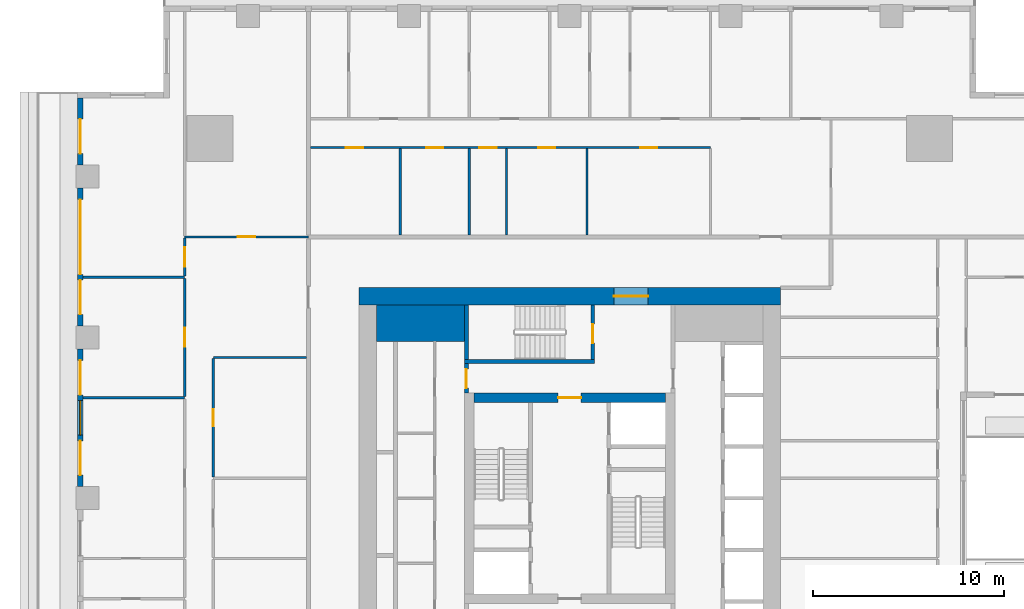
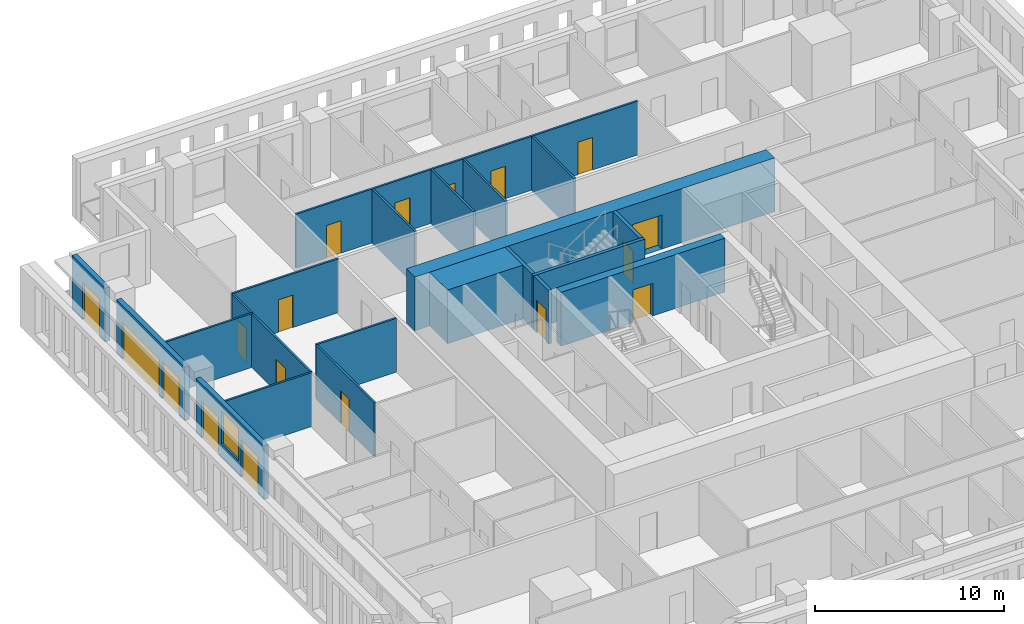
# One storey, part 6 of 15: 22 walls, 18 doors, 1 window, 19 openings.
"""IFC4 building model written with IfcOpenShell, lengths in metres."""

from ifc_helpers import new_model, si_unit, direction, frame, frame_2d, origin, place, context, subcontext, project, spatial, rectangle, extrude, material, layer, layer_set, type_object, element, fill, save


model = new_model("IFC4")

# Units and contexts
model_context = context("Model", 3, precision=1e-05, world=origin(), true_north=direction((0.0, 1.0)))
body_context = subcontext(model_context, "Body", "Model", "MODEL_VIEW")
ifc_project = project(units=[si_unit("LENGTHUNIT", "METRE"), si_unit("AREAUNIT", "SQUARE_METRE"), si_unit("VOLUMEUNIT", "CUBIC_METRE"), si_unit("PLANEANGLEUNIT", "RADIAN"), si_unit("MASSUNIT", "GRAM", prefix="KILO")], contexts=[model_context])

# Site, building, storey
site_placement = place(None, origin())
site = spatial("IfcSite", under=ifc_project, at=site_placement, CompositionType="ELEMENT")
building_placement = place(site_placement, origin())
building = spatial("IfcBuilding", under=site, at=building_placement, Name="Khepri Terraces", CompositionType="ELEMENT")
storey_placement = place(building_placement, frame((0.0, 0.0, 196.199951171875)))
storey = spatial("IfcBuildingStorey", under=building, at=storey_placement, Name="L46", CompositionType="ELEMENT", Elevation=196.199951171875)

# Walls
ifc_material_1 = material(Name="Concrete C50/60", Category="concrete")
ifc_layer_1 = layer(ifc_material_1, 1.89990234375, Name="Concrete C50/60", Category="concrete")
ifc_layer_set_1 = layer_set([ifc_layer_1], Name="Concrete C50/60")
wall_type_1 = type_object("IfcWallType", Name="Core wall 1900 C50/60", PredefinedType="SHEAR", material=ifc_layer_set_1)
wall_1_placement = place(storey_placement, frame((-10.10009765625, 9.14990234375, 0.0), z_axis=(0.0, 0.0, 1.0), x_axis=(1.0, 0.0, 0.0)))
element("IfcWall", 1, at=wall_1_placement, inside=storey, type_object=wall_type_1, Name="Core wall PR03 L46", PredefinedType="SHEAR", context=body_context, shape_type="SweptSolid", body=[
    extrude(rectangle(XDim=4.60009765625, YDim=1.89990234375, at=frame_2d((2.300048828125, 0.0))), origin(), (0.0, 0.0, 1.0), 3.47998046875),
])
ifc_layer_2 = layer(ifc_material_1, 0.199951171875, Name="Concrete C50/60", Category="concrete")
ifc_layer_set_2 = layer_set([ifc_layer_2], Name="Concrete C50/60")
wall_type_2 = type_object("IfcWallType", Name="Core wall 200 C50/60", PredefinedType="SHEAR", material=ifc_layer_set_2)
wall_2_placement = place(storey_placement, frame((-5.5, 7.14990234375, 0.0), z_axis=(0.0, 0.0, 1.0), x_axis=(1.0, 0.0, 0.0)))
element("IfcWall", 2, at=wall_2_placement, inside=storey, type_object=wall_type_2, Name="Core wall ST05 L46", PredefinedType="SHEAR", context=body_context, shape_type="SweptSolid", body=[
    extrude(rectangle(XDim=6.800048828125, YDim=0.199951171875, at=frame_2d((3.39990234375, 0.0))), origin(), (0.0, 0.0, 1.0), 3.47998046875),
])
wall_3_placement = place(storey_placement, frame((-5.39990234375, 7.25, 0.0), z_axis=(0.0, 0.0, 1.0), x_axis=(0.0, 1.0, 0.0)))
element("IfcWall", 3, at=wall_3_placement, inside=storey, type_object=wall_type_2, Name="Core wall ST06 L46", PredefinedType="SHEAR", context=body_context, shape_type="SweptSolid", body=[
    extrude(rectangle(XDim=2.85009765625, YDim=0.199951171875, at=frame_2d((1.425048828125, 0.0))), origin(), (0.0, 0.0, 1.0), 3.47998046875),
])

# Wall, opening, door
wall_4_placement = place(storey_placement, frame((1.199951171875, 7.25, 0.0), z_axis=(0.0, 0.0, 1.0), x_axis=(0.0, 1.0, 0.0)))
wall_4 = element("IfcWall", 4, at=wall_4_placement, inside=storey, type_object=wall_type_2, Name="Core wall ST07 L46", PredefinedType="SHEAR", context=body_context, shape_type="SweptSolid", body=[
    extrude(rectangle(XDim=2.85009765625, YDim=0.199951171875, at=frame_2d((1.425048828125, 0.0))), origin(), (0.0, 0.0, 1.0), 3.47998046875),
])
opening_1_placement = place(wall_4_placement, frame((0.85009765625, 0.0, 0.0)))
opening_1 = element("IfcOpeningElement", 5, at=opening_1_placement, cuts=wall_4, Name="Opening L46-C15", PredefinedType="OPENING", context=body_context, shape_type="SweptSolid", body=[
    extrude(rectangle(XDim=1.0, YDim=2.10009765625, at=frame_2d((0.5, 1.050048828125))), frame((0.0, 0.10986328125, 0.0), z_axis=(0.0, -1.0, 0.0), x_axis=(1.0, 0.0, 0.0)), (0.0, 0.0, 1.0), 0.219970703125),
])
ifc_material_2 = material(Name="Painted steel", Category="steel")
door_type_1 = type_object("IfcDoorType", Name="DR-CORE-STAIR-1000", OperationType="NOTDEFINED", PredefinedType="DOOR", material=ifc_material_2)
door_1_placement = place(opening_1_placement, origin())
door_1 = element("IfcDoor", 6, at=door_1_placement, inside=storey, type_object=door_type_1, Name="Stair door L46-C15", OperationType="SINGLE_SWING_LEFT", OverallHeight=2.10009765625, OverallWidth=1.0, PredefinedType="DOOR", context=body_context, shape_type="SweptSolid", body=[
    extrude(rectangle(XDim=1.0, YDim=2.10009765625, at=frame_2d((0.5, 1.050048828125))), frame((0.0, 0.02490234375, 0.0), z_axis=(0.0, -1.0, 0.0), x_axis=(1.0, 0.0, 0.0)), (0.0, 0.0, 1.0), 0.050048828125),
])
fill(opening_1, door_1)

ifc_layer_3 = layer(ifc_material_1, 0.5, Name="Concrete C50/60", Category="concrete")
ifc_layer_set_3 = layer_set([ifc_layer_3], Name="Concrete C50/60")
wall_type_3 = type_object("IfcWallType", Name="Core wall 500 C50/60", PredefinedType="SHEAR", material=ifc_layer_set_3)
wall_5_placement = place(storey_placement, frame((-5.0, 5.25, 0.0), z_axis=(0.0, 0.0, 1.0), x_axis=(1.0, 0.0, 0.0)))
wall_5 = element("IfcWall", 7, at=wall_5_placement, inside=storey, type_object=wall_type_3, Name="Core wall BX04 L46", PredefinedType="SHEAR", context=body_context, shape_type="SweptSolid", body=[
    extrude(rectangle(XDim=10.0, YDim=0.5, at=frame_2d((5.0, 0.0))), origin(), (0.0, 0.0, 1.0), 3.47998046875),
])
opening_2_placement = place(wall_5_placement, frame((4.39990234375, 0.0, 0.0)))
opening_2 = element("IfcOpeningElement", 8, at=opening_2_placement, cuts=wall_5, Name="Opening L46-C13", PredefinedType="OPENING", context=body_context, shape_type="SweptSolid", body=[
    extrude(rectangle(XDim=1.199951171875, YDim=2.10009765625, at=frame_2d((0.60009765625, 1.050048828125))), frame((0.0, 0.260009765625, 0.0), z_axis=(0.0, -1.0, 0.0), x_axis=(1.0, 0.0, 0.0)), (0.0, 0.0, 1.0), 0.52001953125),
])
door_type_2 = type_object("IfcDoorType", Name="DR-CORE-FF-LOBBY-1200", OperationType="NOTDEFINED", PredefinedType="DOOR", material=ifc_material_2)
door_2_placement = place(opening_2_placement, frame((1.199951171875, 0.0, 0.0), z_axis=(0.0, 0.0, 1.0), x_axis=(-1.0, 0.0, 0.0)))
door_2 = element("IfcDoor", 9, at=door_2_placement, inside=storey, type_object=door_type_2, Name="Firefighting lobby door L46-C13", OperationType="SINGLE_SWING_LEFT", OverallHeight=2.10009765625, OverallWidth=1.199951171875, PredefinedType="DOOR", context=body_context, shape_type="SweptSolid", body=[
    extrude(rectangle(XDim=1.199951171875, YDim=2.10009765625, at=frame_2d((0.60009765625, 1.050048828125))), frame((0.0, 0.02490234375, 0.0), z_axis=(0.0, -1.0, 0.0), x_axis=(1.0, 0.0, 0.0)), (0.0, 0.0, 1.0), 0.050048828125),
])
fill(opening_2, door_2)

ifc_layer_4 = layer(ifc_material_1, 0.89990234375, Name="Concrete C50/60", Category="concrete")
ifc_layer_set_4 = layer_set([ifc_layer_4], Name="Concrete C50/60")
wall_type_4 = type_object("IfcWallType", Name="Core wall 900 C50/60", PredefinedType="SHEAR", material=ifc_layer_set_4)
wall_6_placement = place(storey_placement, frame((-11.0, 10.550048828125, 0.0), z_axis=(0.0, 0.0, 1.0), x_axis=(1.0, 0.0, 0.0)))
wall_6 = element("IfcWall", 10, at=wall_6_placement, inside=storey, type_object=wall_type_4, Name="Core wall OW-N L46", PredefinedType="SHEAR", context=body_context, shape_type="SweptSolid", body=[
    extrude(rectangle(XDim=22.0, YDim=0.89990234375, at=frame_2d((11.0, 0.0))), origin(), (0.0, 0.0, 1.0), 3.47998046875),
])
opening_3_placement = place(wall_6_placement, frame((13.300048828125, 0.0, 0.0)))
opening_3 = element("IfcOpeningElement", 11, at=opening_3_placement, cuts=wall_6, Name="Opening L46-C20", PredefinedType="OPENING", context=body_context, shape_type="SweptSolid", body=[
    extrude(rectangle(XDim=1.800048828125, YDim=2.199951171875, at=frame_2d((0.89990234375, 1.10009765625))), frame((0.0, 0.4599609375, 0.0), z_axis=(0.0, -1.0, 0.0), x_axis=(1.0, 0.0, 0.0)), (0.0, 0.0, 1.0), 0.919921875),
])
door_type_3 = type_object("IfcDoorType", Name="DR-CORE-ENTRANCE-1800", OperationType="NOTDEFINED", PredefinedType="DOOR", material=ifc_material_2)
door_3_placement = place(opening_3_placement, origin())
door_3 = element("IfcDoor", 12, at=door_3_placement, inside=storey, type_object=door_type_3, Name="Core entrance door pair L46-C20", OperationType="DOUBLE_DOOR_SINGLE_SWING", OverallHeight=2.199951171875, OverallWidth=1.800048828125, PredefinedType="DOOR", context=body_context, shape_type="SweptSolid", body=[
    extrude(rectangle(XDim=1.800048828125, YDim=2.199951171875, at=frame_2d((0.89990234375, 1.10009765625))), frame((0.0, 0.02490234375, 0.0), z_axis=(0.0, -1.0, 0.0), x_axis=(1.0, 0.0, 0.0)), (0.0, 0.0, 1.0), 0.050048828125),
])
fill(opening_3, door_3)

ifc_material_3 = material(Name="Fire-rated gypsum board partition")
ifc_layer_5 = layer(ifc_material_3, 0.199951171875, Name="Fire-rated gypsum board partition")
ifc_layer_set_5 = layer_set([ifc_layer_5], Name="Fire-rated gypsum board partition")
wall_type_5 = type_object("IfcWallType", Name="WL-CORE-PART-200", PredefinedType="PARTITIONING", material=ifc_layer_set_5)
wall_7_placement = place(storey_placement, frame((-5.39990234375, 5.5, 0.0), z_axis=(0.0, 0.0, 1.0), x_axis=(0.0, 1.0, 0.0)))
wall_7 = element("IfcWall", 13, at=wall_7_placement, inside=storey, type_object=wall_type_5, Name="Core partition PT09 L46", PredefinedType="PARTITIONING", context=body_context, shape_type="SweptSolid", body=[
    extrude(rectangle(XDim=1.550048828125, YDim=0.199951171875, at=frame_2d((0.77490234375, 0.0))), origin(), (0.0, 0.0, 1.0), 3.47998046875),
])
opening_4_placement = place(wall_7_placement, frame((0.25, 0.0, 0.0)))
opening_4 = element("IfcOpeningElement", 14, at=opening_4_placement, cuts=wall_7, Name="Opening L46-C16", PredefinedType="OPENING", context=body_context, shape_type="SweptSolid", body=[
    extrude(rectangle(XDim=1.0, YDim=2.10009765625, at=frame_2d((0.5, 1.050048828125))), frame((0.0, 0.10986328125, 0.0), z_axis=(0.0, -1.0, 0.0), x_axis=(1.0, 0.0, 0.0)), (0.0, 0.0, 1.0), 0.219970703125),
])
door_type_4 = type_object("IfcDoorType", Name="DR-CORE-LOBBY-1000", OperationType="NOTDEFINED", PredefinedType="DOOR", material=ifc_material_2)
door_4_placement = place(opening_4_placement, frame((1.0, 0.0, 0.0), z_axis=(0.0, 0.0, 1.0), x_axis=(-1.0, 0.0, 0.0)))
door_4 = element("IfcDoor", 15, at=door_4_placement, inside=storey, type_object=door_type_4, Name="Lobby door L46-C16", OperationType="SINGLE_SWING_RIGHT", OverallHeight=2.10009765625, OverallWidth=1.0, PredefinedType="DOOR", context=body_context, shape_type="SweptSolid", body=[
    extrude(rectangle(XDim=1.0, YDim=2.10009765625, at=frame_2d((0.5, 1.050048828125))), frame((0.0, 0.02490234375, 0.0), z_axis=(0.0, -1.0, 0.0), x_axis=(1.0, 0.0, 0.0)), (0.0, 0.0, 1.0), 0.050048828125),
])
fill(opening_4, door_4)

ifc_material_4 = material(Name="Precast concrete C50/60 warm stone", Category="masonry")
ifc_layer_6 = layer(ifc_material_4, 0.300048828125, Name="Precast concrete C50/60 warm stone", Category="masonry")
ifc_layer_set_6 = layer_set([ifc_layer_6], Name="Precast concrete C50/60 warm stone")
wall_type_6 = type_object("IfcWallType", Name="WL-EXT-PRECAST-300", PredefinedType="STANDARD", material=ifc_layer_set_6)
wall_8_placement = place(storey_placement, frame((-25.570068359375, 20.919921875, 0.0), z_axis=(0.0, 0.0, 1.0), x_axis=(0.0, -1.0, 0.0)))
wall_8 = element("IfcWall", 16, at=wall_8_placement, inside=storey, type_object=wall_type_6, Name="External wall L46 W", PredefinedType="STANDARD", context=body_context, shape_type="SweptSolid", body=[
    extrude(rectangle(XDim=3.52001953125, YDim=0.300048828125, at=frame_2d((1.760009765625, 0.0))), origin(), (0.0, 0.0, 1.0), 3.47998046875),
])
opening_5_placement = place(wall_8_placement, frame((1.1201171875, 0.0, 0.0)))
opening_5 = element("IfcOpeningElement", 17, at=opening_5_placement, cuts=wall_8, Name="Opening ED-L46-11", PredefinedType="OPENING", context=body_context, shape_type="SweptSolid", body=[
    extrude(rectangle(XDim=1.800048828125, YDim=2.39990234375, at=frame_2d((0.89990234375, 1.199951171875))), frame((0.0, 0.16015625, 0.0), z_axis=(0.0, -1.0, 0.0), x_axis=(1.0, 0.0, 0.0)), (0.0, 0.0, 1.0), 0.320068359375),
])
ifc_material_5 = material(Name="Anodised aluminium bronze glazed door", Category="aluminium")
door_type_5 = type_object("IfcDoorType", Name="DR-BAL-SLIDE-1800x2400", OperationType="NOTDEFINED", PredefinedType="DOOR", material=ifc_material_5)
door_5_placement = place(opening_5_placement, origin())
door_5 = element("IfcDoor", 18, at=door_5_placement, inside=storey, type_object=door_type_5, Name="Balcony door L46 W", OperationType="SLIDING_TO_RIGHT", OverallHeight=2.39990234375, OverallWidth=1.800048828125, PredefinedType="DOOR", context=body_context, shape_type="SweptSolid", body=[
    extrude(rectangle(XDim=1.800048828125, YDim=2.39990234375, at=frame_2d((0.89990234375, 1.199951171875))), frame((0.0, 0.02490234375, 0.0), z_axis=(0.0, -1.0, 0.0), x_axis=(1.0, 0.0, 0.0)), (0.0, 0.0, 1.0), 0.050048828125),
])
fill(opening_5, door_5)

# Wall, openings, doors
wall_9_placement = place(storey_placement, frame((-25.570068359375, 16.199951171875, 0.0), z_axis=(0.0, 0.0, 1.0), x_axis=(0.0, -1.0, 0.0)))
wall_9 = element("IfcWall", 19, at=wall_9_placement, inside=storey, type_object=wall_type_6, Name="External wall L46 W", PredefinedType="STANDARD", context=body_context, shape_type="SweptSolid", body=[
    extrude(rectangle(XDim=7.199951171875, YDim=0.300048828125, at=frame_2d((3.60009765625, 0.0))), origin(), (0.0, 0.0, 1.0), 3.47998046875),
])
opening_6_placement = place(wall_9_placement, frame((0.60009765625, 0.0, 0.0)))
opening_6 = element("IfcOpeningElement", 20, at=opening_6_placement, cuts=wall_9, Name="Opening ED-L46-12", PredefinedType="OPENING", context=body_context, shape_type="SweptSolid", body=[
    extrude(rectangle(XDim=3.89990234375, YDim=2.39990234375, at=frame_2d((1.949951171875, 1.199951171875))), frame((0.0, 0.16015625, 0.0), z_axis=(0.0, -1.0, 0.0), x_axis=(1.0, 0.0, 0.0)), (0.0, 0.0, 1.0), 0.320068359375),
])
opening_7_placement = place(wall_9_placement, frame((4.800048828125, 0.0, 0.0)))
opening_7 = element("IfcOpeningElement", 21, at=opening_7_placement, cuts=wall_9, Name="Opening ED-L46-13", PredefinedType="OPENING", context=body_context, shape_type="SweptSolid", body=[
    extrude(rectangle(XDim=1.800048828125, YDim=2.39990234375, at=frame_2d((0.89990234375, 1.199951171875))), frame((0.0, 0.16015625, 0.0), z_axis=(0.0, -1.0, 0.0), x_axis=(1.0, 0.0, 0.0)), (0.0, 0.0, 1.0), 0.320068359375),
])
door_6_placement = place(opening_7_placement, origin())
door_6 = element("IfcDoor", 22, at=door_6_placement, inside=storey, type_object=door_type_5, Name="Balcony door L46 W", OperationType="SLIDING_TO_RIGHT", OverallHeight=2.39990234375, OverallWidth=1.800048828125, PredefinedType="DOOR", context=body_context, shape_type="SweptSolid", body=[
    extrude(rectangle(XDim=1.800048828125, YDim=2.39990234375, at=frame_2d((0.89990234375, 1.199951171875))), frame((0.0, 0.02490234375, 0.0), z_axis=(0.0, -1.0, 0.0), x_axis=(1.0, 0.0, 0.0)), (0.0, 0.0, 1.0), 0.050048828125),
])
fill(opening_7, door_6)
door_type_6 = type_object("IfcDoorType", Name="DR-BAL-SLIDE-3900x2400", OperationType="NOTDEFINED", PredefinedType="DOOR", material=ifc_material_5)
door_7_placement = place(opening_6_placement, origin())
door_7 = element("IfcDoor", 23, at=door_7_placement, inside=storey, type_object=door_type_6, Name="Balcony door L46 W", OperationType="SLIDING_TO_LEFT", OverallHeight=2.39990234375, OverallWidth=3.89990234375, PredefinedType="DOOR", context=body_context, shape_type="SweptSolid", body=[
    extrude(rectangle(XDim=3.89990234375, YDim=2.39990234375, at=frame_2d((1.949951171875, 1.199951171875))), frame((0.0, 0.02490234375, 0.0), z_axis=(0.0, -1.0, 0.0), x_axis=(1.0, 0.0, 0.0)), (0.0, 0.0, 1.0), 0.050048828125),
])
fill(opening_6, door_7)

# Wall, openings, doors, window
wall_10_placement = place(storey_placement, frame((-25.570068359375, 7.800048828125, 0.0), z_axis=(0.0, 0.0, 1.0), x_axis=(0.0, -1.0, 0.0)))
wall_10 = element("IfcWall", 24, at=wall_10_placement, inside=storey, type_object=wall_type_6, Name="External wall L46 W", PredefinedType="STANDARD", context=body_context, shape_type="SweptSolid", body=[
    extrude(rectangle(XDim=7.199951171875, YDim=0.300048828125, at=frame_2d((3.60009765625, 0.0))), origin(), (0.0, 0.0, 1.0), 3.47998046875),
])
opening_8_placement = place(wall_10_placement, frame((0.60009765625, 0.0, 0.0)))
opening_8 = element("IfcOpeningElement", 25, at=opening_8_placement, cuts=wall_10, Name="Opening ED-L46-14", PredefinedType="OPENING", context=body_context, shape_type="SweptSolid", body=[
    extrude(rectangle(XDim=1.800048828125, YDim=2.39990234375, at=frame_2d((0.89990234375, 1.199951171875))), frame((0.0, 0.16015625, 0.0), z_axis=(0.0, -1.0, 0.0), x_axis=(1.0, 0.0, 0.0)), (0.0, 0.0, 1.0), 0.320068359375),
])
opening_9_placement = place(wall_10_placement, frame((2.699951171875, 0.0, 0.89990234375)))
opening_9 = element("IfcOpeningElement", 26, at=opening_9_placement, cuts=wall_10, Name="Opening W1", PredefinedType="OPENING", context=body_context, shape_type="SweptSolid", body=[
    extrude(rectangle(XDim=1.800048828125, YDim=2.10009765625, at=frame_2d((0.89990234375, 1.050048828125))), frame((0.0, 0.16015625, 0.0), z_axis=(0.0, -1.0, 0.0), x_axis=(1.0, 0.0, 0.0)), (0.0, 0.0, 1.0), 0.320068359375),
])
opening_10_placement = place(wall_10_placement, frame((4.800048828125, 0.0, 0.0)))
opening_10 = element("IfcOpeningElement", 27, at=opening_10_placement, cuts=wall_10, Name="Opening ED-L46-15", PredefinedType="OPENING", context=body_context, shape_type="SweptSolid", body=[
    extrude(rectangle(XDim=1.800048828125, YDim=2.39990234375, at=frame_2d((0.89990234375, 1.199951171875))), frame((0.0, 0.16015625, 0.0), z_axis=(0.0, -1.0, 0.0), x_axis=(1.0, 0.0, 0.0)), (0.0, 0.0, 1.0), 0.320068359375),
])
door_8_placement = place(opening_8_placement, origin())
door_8 = element("IfcDoor", 28, at=door_8_placement, inside=storey, type_object=door_type_5, Name="Balcony door L46 W", OperationType="SLIDING_TO_LEFT", OverallHeight=2.39990234375, OverallWidth=1.800048828125, PredefinedType="DOOR", context=body_context, shape_type="SweptSolid", body=[
    extrude(rectangle(XDim=1.800048828125, YDim=2.39990234375, at=frame_2d((0.89990234375, 1.199951171875))), frame((0.0, 0.02490234375, 0.0), z_axis=(0.0, -1.0, 0.0), x_axis=(1.0, 0.0, 0.0)), (0.0, 0.0, 1.0), 0.050048828125),
])
fill(opening_8, door_8)
door_9_placement = place(opening_10_placement, origin())
door_9 = element("IfcDoor", 29, at=door_9_placement, inside=storey, type_object=door_type_5, Name="Balcony door L46 W", OperationType="SLIDING_TO_RIGHT", OverallHeight=2.39990234375, OverallWidth=1.800048828125, PredefinedType="DOOR", context=body_context, shape_type="SweptSolid", body=[
    extrude(rectangle(XDim=1.800048828125, YDim=2.39990234375, at=frame_2d((0.89990234375, 1.199951171875))), frame((0.0, 0.02490234375, 0.0), z_axis=(0.0, -1.0, 0.0), x_axis=(1.0, 0.0, 0.0)), (0.0, 0.0, 1.0), 0.050048828125),
])
fill(opening_10, door_9)
ifc_material_6 = material(Name="Clear glass", Category="glass")
window_type = type_object("IfcWindowType", Name="WIN-RES-1800x2100", PartitioningType="SINGLE_PANEL", PredefinedType="WINDOW", material=ifc_material_6)
window_placement = place(opening_9_placement, origin())
window = element("IfcWindow", 30, at=window_placement, inside=storey, type_object=window_type, Name="Window L46 W", OverallHeight=2.10009765625, OverallWidth=1.800048828125, PartitioningType="SINGLE_PANEL", PredefinedType="WINDOW", context=body_context, shape_type="SweptSolid", body=[
    extrude(rectangle(XDim=1.800048828125, YDim=2.10009765625, at=frame_2d((0.89990234375, 1.050048828125))), frame((0.0, 0.030029296875, 0.0), z_axis=(0.0, -1.0, 0.0), x_axis=(1.0, 0.0, 0.0)), (0.0, 0.0, 1.0), 0.06005859375),
])
fill(opening_9, window)

# Wall, opening, door
ifc_material_7 = material(Name="Gypsum plasterboard partition")
ifc_layer_7 = layer(ifc_material_7, 0.1201171875, Name="Gypsum plasterboard partition")
ifc_layer_set_7 = layer_set([ifc_layer_7], Name="Gypsum plasterboard partition")
wall_type_7 = type_object("IfcWallType", Name="WL-PART-120", PredefinedType="PARTITIONING", material=ifc_layer_set_7)
wall_11_placement = place(storey_placement, frame((-18.6201171875, 1.110107421875, 0.0), z_axis=(0.0, 0.0, 1.0), x_axis=(0.0, 1.0, 0.0)))
wall_11 = element("IfcWall", 31, at=wall_11_placement, inside=storey, type_object=wall_type_7, Name="Partition P-050 L46", PredefinedType="PARTITIONING", context=body_context, shape_type="SweptSolid", body=[
    extrude(rectangle(XDim=6.179931640625, YDim=0.1201171875, at=frame_2d((3.08984375, 0.0))), origin(), (0.0, 0.0, 1.0), 3.47998046875),
])
opening_11_placement = place(wall_11_placement, frame((2.639892578125, 0.0, 0.0)))
opening_11 = element("IfcOpeningElement", 32, at=opening_11_placement, cuts=wall_11, Name="Opening D3", PredefinedType="OPENING", context=body_context, shape_type="SweptSolid", body=[
    extrude(rectangle(XDim=0.89990234375, YDim=2.10009765625, at=frame_2d((0.449951171875, 1.050048828125))), frame((0.0, 0.070068359375, 0.0), z_axis=(0.0, -1.0, 0.0), x_axis=(1.0, 0.0, 0.0)), (0.0, 0.0, 1.0), 0.14013671875),
])
ifc_material_8 = material(Name="Timber door leaf", Category="wood")
door_type_7 = type_object("IfcDoorType", Name="DR-INT-900", OperationType="NOTDEFINED", PredefinedType="DOOR", material=ifc_material_8)
door_10_placement = place(opening_11_placement, frame((0.89990234375, 0.0, 0.0), z_axis=(0.0, 0.0, 1.0), x_axis=(-1.0, 0.0, 0.0)))
door_10 = element("IfcDoor", 33, at=door_10_placement, inside=storey, type_object=door_type_7, Name="Door Kitchen", OperationType="SINGLE_SWING_LEFT", OverallHeight=2.10009765625, OverallWidth=0.89990234375, PredefinedType="DOOR", context=body_context, shape_type="SweptSolid", body=[
    extrude(rectangle(XDim=0.89990234375, YDim=2.10009765625, at=frame_2d((0.449951171875, 1.050048828125))), frame((0.0, 0.02490234375, 0.0), z_axis=(0.0, -1.0, 0.0), x_axis=(1.0, 0.0, 0.0)), (0.0, 0.0, 1.0), 0.050048828125),
])
fill(opening_11, door_10)

# Wall
wall_12_placement = place(storey_placement, frame((-25.419921875, 5.25, 0.0), z_axis=(0.0, 0.0, 1.0), x_axis=(1.0, 0.0, 0.0)))
element("IfcWall", 34, at=wall_12_placement, inside=storey, type_object=wall_type_7, Name="Partition P-054 L46", PredefinedType="PARTITIONING", context=body_context, shape_type="SweptSolid", body=[
    extrude(rectangle(XDim=5.2998046875, YDim=0.1201171875, at=frame_2d((2.64990234375, 0.0))), origin(), (0.0, 0.0, 1.0), 3.47998046875),
])

# Wall, opening, door
wall_13_placement = place(storey_placement, frame((-20.1201171875, 5.31005859375, 0.0), z_axis=(0.0, 0.0, 1.0), x_axis=(0.0, 1.0, 0.0)))
wall_13 = element("IfcWall", 35, at=wall_13_placement, inside=storey, type_object=wall_type_7, Name="Partition P-056 L46", PredefinedType="PARTITIONING", context=body_context, shape_type="SweptSolid", body=[
    extrude(rectangle(XDim=6.179931640625, YDim=0.1201171875, at=frame_2d((3.08984375, 0.0))), origin(), (0.0, 0.0, 1.0), 3.47998046875),
])
opening_12_placement = place(wall_13_placement, frame((2.590087890625, 0.0, 0.0)))
opening_12 = element("IfcOpeningElement", 36, at=opening_12_placement, cuts=wall_13, Name="Opening D2", PredefinedType="OPENING", context=body_context, shape_type="SweptSolid", body=[
    extrude(rectangle(XDim=1.0, YDim=2.10009765625, at=frame_2d((0.5, 1.050048828125))), frame((0.0, 0.070068359375, 0.0), z_axis=(0.0, -1.0, 0.0), x_axis=(1.0, 0.0, 0.0)), (0.0, 0.0, 1.0), 0.14013671875),
])
ifc_material_9 = material(Name="Timber door leaf, living room door", Category="wood")
door_type_8 = type_object("IfcDoorType", Name="DR-INT-1000", OperationType="NOTDEFINED", PredefinedType="DOOR", material=ifc_material_9)
door_11_placement = place(opening_12_placement, origin())
door_11 = element("IfcDoor", 37, at=door_11_placement, inside=storey, type_object=door_type_8, Name="Door Family Room", OperationType="SINGLE_SWING_RIGHT", OverallHeight=2.10009765625, OverallWidth=1.0, PredefinedType="DOOR", context=body_context, shape_type="SweptSolid", body=[
    extrude(rectangle(XDim=1.0, YDim=2.10009765625, at=frame_2d((0.5, 1.050048828125))), frame((0.0, 0.02490234375, 0.0), z_axis=(0.0, -1.0, 0.0), x_axis=(1.0, 0.0, 0.0)), (0.0, 0.0, 1.0), 0.050048828125),
])
fill(opening_12, door_11)

# Walls
wall_14_placement = place(storey_placement, frame((-18.6201171875, 7.35009765625, 0.0), z_axis=(0.0, 0.0, 1.0), x_axis=(1.0, 0.0, 0.0)))
element("IfcWall", 38, at=wall_14_placement, inside=storey, type_object=wall_type_7, Name="Partition P-057 L46", PredefinedType="PARTITIONING", context=body_context, shape_type="SweptSolid", body=[
    extrude(rectangle(XDim=4.8701171875, YDim=0.1201171875, at=frame_2d((2.43505859375, 0.0))), origin(), (0.0, 0.0, 1.0), 3.47998046875),
])
wall_15_placement = place(storey_placement, frame((-25.419921875, 11.550048828125, 0.0), z_axis=(0.0, 0.0, 1.0), x_axis=(1.0, 0.0, 0.0)))
element("IfcWall", 39, at=wall_15_placement, inside=storey, type_object=wall_type_7, Name="Partition P-064 L46", PredefinedType="PARTITIONING", context=body_context, shape_type="SweptSolid", body=[
    extrude(rectangle(XDim=5.2998046875, YDim=0.1201171875, at=frame_2d((2.64990234375, 0.0))), origin(), (0.0, 0.0, 1.0), 3.47998046875),
])

# Wall, opening, door
wall_16_placement = place(storey_placement, frame((-20.1201171875, 11.610107421875, 0.0), z_axis=(0.0, 0.0, 1.0), x_axis=(0.0, 1.0, 0.0)))
wall_16 = element("IfcWall", 40, at=wall_16_placement, inside=storey, type_object=wall_type_7, Name="Partition P-066 L46", PredefinedType="PARTITIONING", context=body_context, shape_type="SweptSolid", body=[
    extrude(rectangle(XDim=1.97998046875, YDim=0.1201171875, at=frame_2d((0.989990234375, 0.0))), origin(), (0.0, 0.0, 1.0), 3.47998046875),
])
opening_13_placement = place(wall_16_placement, frame((0.489990234375, 0.0, 0.0)))
opening_13 = element("IfcOpeningElement", 41, at=opening_13_placement, cuts=wall_16, Name="Opening D2", PredefinedType="OPENING", context=body_context, shape_type="SweptSolid", body=[
    extrude(rectangle(XDim=1.0, YDim=2.10009765625, at=frame_2d((0.5, 1.050048828125))), frame((0.0, 0.070068359375, 0.0), z_axis=(0.0, -1.0, 0.0), x_axis=(1.0, 0.0, 0.0)), (0.0, 0.0, 1.0), 0.14013671875),
])
door_12_placement = place(opening_13_placement, origin())
door_12 = element("IfcDoor", 42, at=door_12_placement, inside=storey, type_object=door_type_8, Name="Door Living Room", OperationType="SINGLE_SWING_RIGHT", OverallHeight=2.10009765625, OverallWidth=1.0, PredefinedType="DOOR", context=body_context, shape_type="SweptSolid", body=[
    extrude(rectangle(XDim=1.0, YDim=2.10009765625, at=frame_2d((0.5, 1.050048828125))), frame((0.0, 0.02490234375, 0.0), z_axis=(0.0, -1.0, 0.0), x_axis=(1.0, 0.0, 0.0)), (0.0, 0.0, 1.0), 0.050048828125),
])
fill(opening_13, door_12)

wall_17_placement = place(storey_placement, frame((-20.1201171875, 13.64990234375, 0.0), z_axis=(0.0, 0.0, 1.0), x_axis=(1.0, 0.0, 0.0)))
wall_17 = element("IfcWall", 43, at=wall_17_placement, inside=storey, type_object=wall_type_7, Name="Partition P-068 L46", PredefinedType="PARTITIONING", context=body_context, shape_type="SweptSolid", body=[
    extrude(rectangle(XDim=6.47021484375, YDim=0.1201171875, at=frame_2d((3.235107421875, 0.0))), origin(), (0.0, 0.0, 1.0), 3.47998046875),
])
opening_14_placement = place(wall_17_placement, frame((2.784912109375, 0.0, 0.0)))
opening_14 = element("IfcOpeningElement", 44, at=opening_14_placement, cuts=wall_17, Name="Opening D3", PredefinedType="OPENING", context=body_context, shape_type="SweptSolid", body=[
    extrude(rectangle(XDim=0.89990234375, YDim=2.10009765625, at=frame_2d((0.449951171875, 1.050048828125))), frame((0.0, 0.070068359375, 0.0), z_axis=(0.0, -1.0, 0.0), x_axis=(1.0, 0.0, 0.0)), (0.0, 0.0, 1.0), 0.14013671875),
])
door_13_placement = place(opening_14_placement, origin())
door_13 = element("IfcDoor", 45, at=door_13_placement, inside=storey, type_object=door_type_7, Name="Door Home Gym", OperationType="SINGLE_SWING_LEFT", OverallHeight=2.10009765625, OverallWidth=0.89990234375, PredefinedType="DOOR", context=body_context, shape_type="SweptSolid", body=[
    extrude(rectangle(XDim=0.89990234375, YDim=2.10009765625, at=frame_2d((0.449951171875, 1.050048828125))), frame((0.0, 0.02490234375, 0.0), z_axis=(0.0, -1.0, 0.0), x_axis=(1.0, 0.0, 0.0)), (0.0, 0.0, 1.0), 0.050048828125),
])
fill(opening_14, door_13)

# Walls
for number, where, z_axis, x_axis, name in (
    (46, (-8.85009765625, 13.75, 0.0), (0.0, 0.0, 1.0), (0.0, 1.0, 0.0), "Partition P-072 L46"),
    (47, (-5.25, 13.75, 0.0), (0.0, 0.0, 1.0), (0.0, 1.0, 0.0), "Partition P-073 L46"),
    (48, (-3.300048828125, 13.75, 0.0), (0.0, 0.0, 1.0), (0.0, 1.0, 0.0), "Partition P-074 L46"),
    (49, (0.89990234375, 13.75, 0.0), (0.0, 0.0, 1.0), (0.0, 1.0, 0.0), "Partition P-075 L46"),
):
    element("IfcWall", number, at=place(storey_placement, frame(where, z_axis=z_axis, x_axis=x_axis)), inside=storey, type_object=wall_type_7, Name=name, PredefinedType="PARTITIONING", context=body_context, shape_type="SweptSolid", body=[
        extrude(rectangle(XDim=4.510009765625, YDim=0.1201171875, at=frame_2d((2.2548828125, 0.0))), origin(), (0.0, 0.0, 1.0), 3.47998046875),
    ])

# Wall, openings, doors
wall_18_placement = place(storey_placement, frame((-13.550048828125, 18.320068359375, 0.0), z_axis=(0.0, 0.0, 1.0), x_axis=(1.0, 0.0, 0.0)))
wall_18 = element("IfcWall", 50, at=wall_18_placement, inside=storey, type_object=wall_type_7, Name="Partition P-078 L46", PredefinedType="PARTITIONING", context=body_context, shape_type="SweptSolid", body=[
    extrude(rectangle(XDim=20.900146484375, YDim=0.1201171875, at=frame_2d((10.4501953125, 0.0))), origin(), (0.0, 0.0, 1.0), 3.47998046875),
])
opening_15_placement = place(wall_18_placement, frame((17.22509765625, 0.0, 0.0)))
opening_15 = element("IfcOpeningElement", 51, at=opening_15_placement, cuts=wall_18, Name="Opening D3", PredefinedType="OPENING", context=body_context, shape_type="SweptSolid", body=[
    extrude(rectangle(XDim=0.89990234375, YDim=2.10009765625, at=frame_2d((0.449951171875, 1.050048828125))), frame((0.0, 0.070068359375, 0.0), z_axis=(0.0, -1.0, 0.0), x_axis=(1.0, 0.0, 0.0)), (0.0, 0.0, 1.0), 0.14013671875),
])
opening_16_placement = place(wall_18_placement, frame((11.89990234375, 0.0, 0.0)))
opening_16 = element("IfcOpeningElement", 52, at=opening_16_placement, cuts=wall_18, Name="Opening D3", PredefinedType="OPENING", context=body_context, shape_type="SweptSolid", body=[
    extrude(rectangle(XDim=0.89990234375, YDim=2.10009765625, at=frame_2d((0.449951171875, 1.050048828125))), frame((0.0, 0.070068359375, 0.0), z_axis=(0.0, -1.0, 0.0), x_axis=(1.0, 0.0, 0.0)), (0.0, 0.0, 1.0), 0.14013671875),
])
opening_17_placement = place(wall_18_placement, frame((8.824951171875, 0.0, 0.0)))
opening_17 = element("IfcOpeningElement", 53, at=opening_17_placement, cuts=wall_18, Name="Opening D4", PredefinedType="OPENING", context=body_context, shape_type="SweptSolid", body=[
    extrude(rectangle(XDim=0.89990234375, YDim=2.10009765625, at=frame_2d((0.449951171875, 1.050048828125))), frame((0.0, 0.070068359375, 0.0), z_axis=(0.0, -1.0, 0.0), x_axis=(1.0, 0.0, 0.0)), (0.0, 0.0, 1.0), 0.14013671875),
])
opening_18_placement = place(wall_18_placement, frame((6.050048828125, 0.0, 0.0)))
opening_18 = element("IfcOpeningElement", 54, at=opening_18_placement, cuts=wall_18, Name="Opening D3", PredefinedType="OPENING", context=body_context, shape_type="SweptSolid", body=[
    extrude(rectangle(XDim=0.89990234375, YDim=2.10009765625, at=frame_2d((0.449951171875, 1.050048828125))), frame((0.0, 0.070068359375, 0.0), z_axis=(0.0, -1.0, 0.0), x_axis=(1.0, 0.0, 0.0)), (0.0, 0.0, 1.0), 0.14013671875),
])
opening_19_placement = place(wall_18_placement, frame((1.85009765625, 0.0, 0.0)))
opening_19 = element("IfcOpeningElement", 55, at=opening_19_placement, cuts=wall_18, Name="Opening D4", PredefinedType="OPENING", context=body_context, shape_type="SweptSolid", body=[
    extrude(rectangle(XDim=0.89990234375, YDim=2.10009765625, at=frame_2d((0.449951171875, 1.050048828125))), frame((0.0, 0.070068359375, 0.0), z_axis=(0.0, -1.0, 0.0), x_axis=(1.0, 0.0, 0.0)), (0.0, 0.0, 1.0), 0.14013671875),
])
door_14_placement = place(opening_15_placement, frame((0.89990234375, 0.0, 0.0), z_axis=(0.0, 0.0, 1.0), x_axis=(-1.0, 0.0, 0.0)))
door_14 = element("IfcDoor", 56, at=door_14_placement, inside=storey, type_object=door_type_7, Name="Door Kitchen", OperationType="SINGLE_SWING_LEFT", OverallHeight=2.10009765625, OverallWidth=0.89990234375, PredefinedType="DOOR", context=body_context, shape_type="SweptSolid", body=[
    extrude(rectangle(XDim=0.89990234375, YDim=2.10009765625, at=frame_2d((0.449951171875, 1.050048828125))), frame((0.0, 0.02490234375, 0.0), z_axis=(0.0, -1.0, 0.0), x_axis=(1.0, 0.0, 0.0)), (0.0, 0.0, 1.0), 0.050048828125),
])
fill(opening_15, door_14)
door_15_placement = place(opening_16_placement, frame((0.89990234375, 0.0, 0.0), z_axis=(0.0, 0.0, 1.0), x_axis=(-1.0, 0.0, 0.0)))
door_15 = element("IfcDoor", 57, at=door_15_placement, inside=storey, type_object=door_type_7, Name="Door Service Store", OperationType="SINGLE_SWING_LEFT", OverallHeight=2.10009765625, OverallWidth=0.89990234375, PredefinedType="DOOR", context=body_context, shape_type="SweptSolid", body=[
    extrude(rectangle(XDim=0.89990234375, YDim=2.10009765625, at=frame_2d((0.449951171875, 1.050048828125))), frame((0.0, 0.02490234375, 0.0), z_axis=(0.0, -1.0, 0.0), x_axis=(1.0, 0.0, 0.0)), (0.0, 0.0, 1.0), 0.050048828125),
])
fill(opening_16, door_15)
door_16_placement = place(opening_18_placement, frame((0.89990234375, 0.0, 0.0), z_axis=(0.0, 0.0, 1.0), x_axis=(-1.0, 0.0, 0.0)))
door_16 = element("IfcDoor", 58, at=door_16_placement, inside=storey, type_object=door_type_7, Name="Door Utility Room", OperationType="SINGLE_SWING_RIGHT", OverallHeight=2.10009765625, OverallWidth=0.89990234375, PredefinedType="DOOR", context=body_context, shape_type="SweptSolid", body=[
    extrude(rectangle(XDim=0.89990234375, YDim=2.10009765625, at=frame_2d((0.449951171875, 1.050048828125))), frame((0.0, 0.02490234375, 0.0), z_axis=(0.0, -1.0, 0.0), x_axis=(1.0, 0.0, 0.0)), (0.0, 0.0, 1.0), 0.050048828125),
])
fill(opening_18, door_16)
ifc_material_10 = material(Name="Timber door leaf, moisture resistant", Category="wood")
door_type_9 = type_object("IfcDoorType", Name="DR-WET-900", OperationType="NOTDEFINED", PredefinedType="DOOR", material=ifc_material_10)
door_17_placement = place(opening_17_placement, frame((0.89990234375, 0.0, 0.0), z_axis=(0.0, 0.0, 1.0), x_axis=(-1.0, 0.0, 0.0)))
door_17 = element("IfcDoor", 59, at=door_17_placement, inside=storey, type_object=door_type_9, Name="Door Powder Room", OperationType="SINGLE_SWING_RIGHT", OverallHeight=2.10009765625, OverallWidth=0.89990234375, PredefinedType="DOOR", context=body_context, shape_type="SweptSolid", body=[
    extrude(rectangle(XDim=0.89990234375, YDim=2.10009765625, at=frame_2d((0.449951171875, 1.050048828125))), frame((0.0, 0.02490234375, 0.0), z_axis=(0.0, -1.0, 0.0), x_axis=(1.0, 0.0, 0.0)), (0.0, 0.0, 1.0), 0.050048828125),
])
fill(opening_17, door_17)
door_18_placement = place(opening_19_placement, frame((0.89990234375, 0.0, 0.0), z_axis=(0.0, 0.0, 1.0), x_axis=(-1.0, 0.0, 0.0)))
door_18 = element("IfcDoor", 60, at=door_18_placement, inside=storey, type_object=door_type_9, Name="Door Guest Bathroom", OperationType="SINGLE_SWING_RIGHT", OverallHeight=2.10009765625, OverallWidth=0.89990234375, PredefinedType="DOOR", context=body_context, shape_type="SweptSolid", body=[
    extrude(rectangle(XDim=0.89990234375, YDim=2.10009765625, at=frame_2d((0.449951171875, 1.050048828125))), frame((0.0, 0.02490234375, 0.0), z_axis=(0.0, -1.0, 0.0), x_axis=(1.0, 0.0, 0.0)), (0.0, 0.0, 1.0), 0.050048828125),
])
fill(opening_19, door_18)

save(model, "model.ifc")
